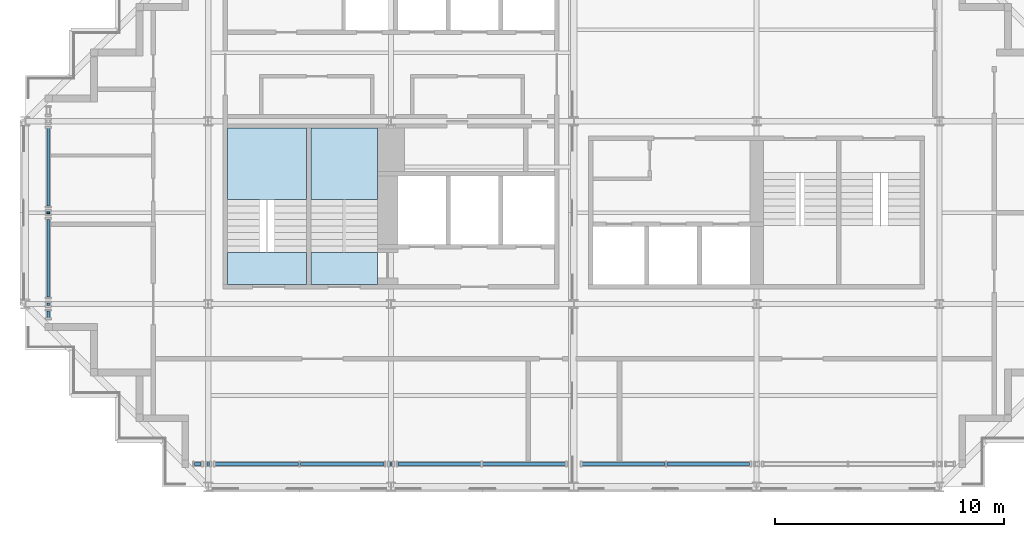
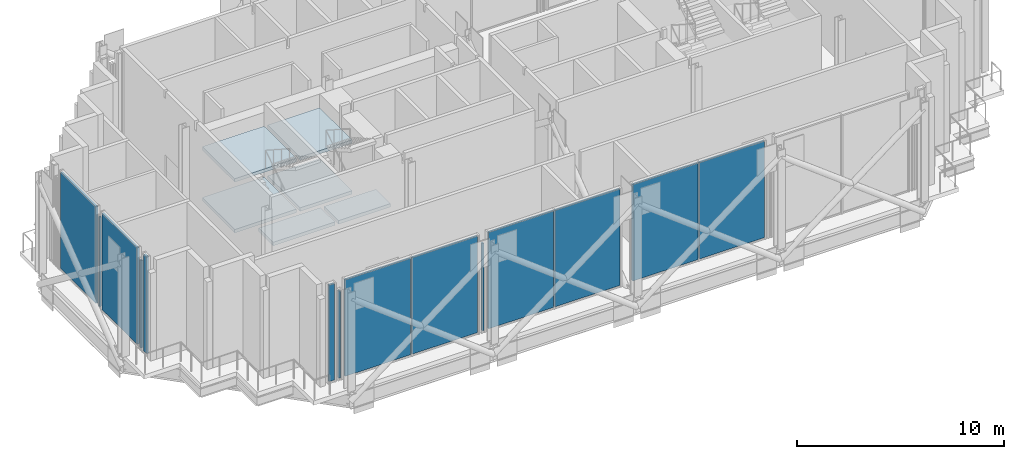
# One storey, part 7 of 16: 14 plates, 6 slabs, 13 elements without a shape of their own.
"""IFC4 building model written with IfcOpenShell, lengths in metres."""

from ifc_helpers import new_model, si_unit, direction, frame, origin, origin_2d, place, context, subcontext, project, spatial, polyline, rectangle, outline, extrude, material, layer, layer_set, type_object, element, aggregate, save


model = new_model("IFC4")

# Units and contexts
model_context = context("Model", 3, precision=1e-05, world=origin(), true_north=direction((0.0, 1.0)))
body_context = subcontext(model_context, "Body", "Model", "MODEL_VIEW")
ifc_project = project(units=[si_unit("LENGTHUNIT", "METRE"), si_unit("AREAUNIT", "SQUARE_METRE"), si_unit("VOLUMEUNIT", "CUBIC_METRE"), si_unit("PLANEANGLEUNIT", "RADIAN"), si_unit("MASSUNIT", "GRAM", prefix="KILO")], contexts=[model_context])

# Site, building, storey
site_placement = place(None, origin())
site = spatial("IfcSite", under=ifc_project, at=site_placement, CompositionType="ELEMENT")
building_placement = place(site_placement, origin())
building = spatial("IfcBuilding", under=site, at=building_placement, Name="Immortelle Media Tower", CompositionType="ELEMENT")
storey_placement = place(building_placement, frame((0.0, 0.0, 241.0)))
storey = spatial("IfcBuildingStorey", under=building, at=storey_placement, Name="L52", CompositionType="ELEMENT", Elevation=241.0)

# Curtain wall, plate
ifc_material_1 = material(Name="Aluminium curtain wall system", Category="aluminium")
curtain_wall_type = type_object("IfcCurtainWallType", Name="Plant louvre wall curtain wall", PredefinedType="NOTDEFINED", material=ifc_material_1)
curtain_wall_1_placement = place(storey_placement, origin())
curtain_wall_1 = element("IfcCurtainWall", 1, at=curtain_wall_1_placement, inside=storey, type_object=curtain_wall_type, Name="Plant louvre wall L52 S 7-2", PredefinedType="NOTDEFINED")
ifc_material_2 = material(Name="Pale aluminium louvre panel", Category="aluminium")
ifc_layer_1 = layer(ifc_material_2, 0.1201171875)
ifc_layer_set_1 = layer_set([ifc_layer_1], Name="Pale aluminium louvre panel")
plate_type = type_object("IfcPlateType", Name="Dust and storm rated louvre panel 120 mm", PredefinedType="CURTAIN_PANEL", material=ifc_layer_set_1)
plate_1_placement = place(storey_placement, frame((7.547607421875, 1.0, 0.080078125), z_axis=(0.0, 0.0, 1.0), x_axis=(1.0, 0.0, 0.0)))
plate_1 = element("IfcPlate", 2, at=plate_1_placement, type_object=plate_type, Name="CW6 panel 1.1", PredefinedType="CURTAIN_PANEL", context=body_context, shape_type="SweptSolid", body=[
    extrude(rectangle(XDim=0.297607421875, YDim=0.1201171875, at=origin_2d()), origin(), (0.0, 0.0, 1.0), 5.689453125),
])
aggregate(curtain_wall_1, [plate_1])

curtain_wall_2_placement = place(storey_placement, origin())
curtain_wall_2 = element("IfcCurtainWall", 3, at=curtain_wall_2_placement, inside=storey, type_object=curtain_wall_type, Name="Plant louvre wall L52 S 7-3", PredefinedType="NOTDEFINED")
plate_2_placement = place(storey_placement, frame((8.0, 1.0, 0.080078125), z_axis=(0.0, 0.0, 1.0), x_axis=(1.0, 0.0, 0.0)))
plate_2 = element("IfcPlate", 4, at=plate_2_placement, type_object=plate_type, Name="CW6 panel 1.1", PredefinedType="CURTAIN_PANEL", context=body_context, shape_type="SweptSolid", body=[
    extrude(rectangle(XDim=0.10693359375, YDim=0.1201171875, at=origin_2d()), origin(), (0.0, 0.0, 1.0), 5.153564453125),
])
aggregate(curtain_wall_2, [plate_2])

# Curtain wall, plates
curtain_wall_3_placement = place(storey_placement, origin())
curtain_wall_3 = element("IfcCurtainWall", 5, at=curtain_wall_3_placement, inside=storey, type_object=curtain_wall_type, Name="Plant louvre wall L52 S 7-4", PredefinedType="NOTDEFINED")
plate_3_placement = place(storey_placement, frame((10.1318359375, 1.0, 0.080078125), z_axis=(0.0, 0.0, 1.0), x_axis=(1.0, 0.0, 0.0)))
plate_3 = element("IfcPlate", 6, at=plate_3_placement, type_object=plate_type, Name="CW6 panel 1.1", PredefinedType="CURTAIN_PANEL", context=body_context, shape_type="SweptSolid", body=[
    extrude(rectangle(XDim=3.656494140625, YDim=0.1201171875, at=origin_2d()), origin(), (0.0, 0.0, 1.0), 5.689453125),
])
plate_4_placement = place(storey_placement, frame((13.8681640625, 1.0, 0.080078125), z_axis=(0.0, 0.0, 1.0), x_axis=(1.0, 0.0, 0.0)))
plate_4 = element("IfcPlate", 7, at=plate_4_placement, type_object=plate_type, Name="CW6 panel 2.1", PredefinedType="CURTAIN_PANEL", context=body_context, shape_type="SweptSolid", body=[
    extrude(rectangle(XDim=3.656494140625, YDim=0.1201171875, at=origin_2d()), origin(), (0.0, 0.0, 1.0), 5.689453125),
])
aggregate(curtain_wall_3, [plate_3, plate_4])

# Curtain wall, plate
curtain_wall_4_placement = place(storey_placement, origin())
curtain_wall_4 = element("IfcCurtainWall", 8, at=curtain_wall_4_placement, inside=storey, type_object=curtain_wall_type, Name="Plant louvre wall L52 S 7-5", PredefinedType="NOTDEFINED")
plate_5_placement = place(storey_placement, frame((16.0, 1.0, 0.080078125), z_axis=(0.0, 0.0, 1.0), x_axis=(1.0, 0.0, 0.0)))
plate_5 = element("IfcPlate", 9, at=plate_5_placement, type_object=plate_type, Name="CW6 panel 1.1", PredefinedType="CURTAIN_PANEL", context=body_context, shape_type="SweptSolid", body=[
    extrude(rectangle(XDim=0.10693359375, YDim=0.1201171875, at=origin_2d()), origin(), (0.0, 0.0, 1.0), 5.153564453125),
])
aggregate(curtain_wall_4, [plate_5])

# Curtain wall, plates
curtain_wall_5_placement = place(storey_placement, origin())
curtain_wall_5 = element("IfcCurtainWall", 10, at=curtain_wall_5_placement, inside=storey, type_object=curtain_wall_type, Name="Plant louvre wall L52 S 7-6", PredefinedType="NOTDEFINED")
plate_6_placement = place(storey_placement, frame((18.1162109375, 1.0, 0.080078125), z_axis=(0.0, 0.0, 1.0), x_axis=(1.0, 0.0, 0.0)))
plate_6 = element("IfcPlate", 11, at=plate_6_placement, type_object=plate_type, Name="CW6 panel 1.1", PredefinedType="CURTAIN_PANEL", context=body_context, shape_type="SweptSolid", body=[
    extrude(rectangle(XDim=3.625244140625, YDim=0.1201171875, at=origin_2d()), origin(), (0.0, 0.0, 1.0), 5.689453125),
])
plate_7_placement = place(storey_placement, frame((21.8212890625, 1.0, 0.080078125), z_axis=(0.0, 0.0, 1.0), x_axis=(1.0, 0.0, 0.0)))
plate_7 = element("IfcPlate", 12, at=plate_7_placement, type_object=plate_type, Name="CW6 panel 2.1", PredefinedType="CURTAIN_PANEL", context=body_context, shape_type="SweptSolid", body=[
    extrude(rectangle(XDim=3.625244140625, YDim=0.1201171875, at=origin_2d()), origin(), (0.0, 0.0, 1.0), 5.689453125),
])
aggregate(curtain_wall_5, [plate_6, plate_7])

curtain_wall_6_placement = place(storey_placement, origin())
curtain_wall_6 = element("IfcCurtainWall", 13, at=curtain_wall_6_placement, inside=storey, type_object=curtain_wall_type, Name="Plant louvre wall L52 S 7-7", PredefinedType="NOTDEFINED")
plate_8_placement = place(storey_placement, frame((26.1787109375, 1.0, 0.080078125), z_axis=(0.0, 0.0, 1.0), x_axis=(1.0, 0.0, 0.0)))
plate_8 = element("IfcPlate", 14, at=plate_8_placement, type_object=plate_type, Name="CW6 panel 1.1", PredefinedType="CURTAIN_PANEL", context=body_context, shape_type="SweptSolid", body=[
    extrude(rectangle(XDim=3.625244140625, YDim=0.1201171875, at=origin_2d()), origin(), (0.0, 0.0, 1.0), 5.689453125),
])
plate_9_placement = place(storey_placement, frame((29.8837890625, 1.0, 0.080078125), z_axis=(0.0, 0.0, 1.0), x_axis=(1.0, 0.0, 0.0)))
plate_9 = element("IfcPlate", 15, at=plate_9_placement, type_object=plate_type, Name="CW6 panel 2.1", PredefinedType="CURTAIN_PANEL", context=body_context, shape_type="SweptSolid", body=[
    extrude(rectangle(XDim=3.625244140625, YDim=0.1201171875, at=origin_2d()), origin(), (0.0, 0.0, 1.0), 5.689453125),
])
aggregate(curtain_wall_6, [plate_8, plate_9])

# Curtain wall, plate
curtain_wall_7_placement = place(storey_placement, origin())
curtain_wall_7 = element("IfcCurtainWall", 16, at=curtain_wall_7_placement, inside=storey, type_object=curtain_wall_type, Name="Plant louvre wall L52 W 28-4", PredefinedType="NOTDEFINED")
plate_10_placement = place(storey_placement, frame((1.0, 13.9931640625, 0.080078125), z_axis=(0.0, 0.0, 1.0), x_axis=(0.0, -1.0, 0.0)))
plate_10 = element("IfcPlate", 17, at=plate_10_placement, type_object=plate_type, Name="CW6 panel 1.1", PredefinedType="CURTAIN_PANEL", context=body_context, shape_type="SweptSolid", body=[
    extrude(rectangle(XDim=3.406494140625, YDim=0.1201171875, at=origin_2d()), origin(), (0.0, 0.0, 1.0), 5.689453125),
])
aggregate(curtain_wall_7, [plate_10])

curtain_wall_8_placement = place(storey_placement, origin())
curtain_wall_8 = element("IfcCurtainWall", 18, at=curtain_wall_8_placement, inside=storey, type_object=curtain_wall_type, Name="Plant louvre wall L52 W 28-5", PredefinedType="NOTDEFINED")
plate_11_placement = place(storey_placement, frame((1.0, 12.0, 0.080078125), z_axis=(0.0, 0.0, 1.0), x_axis=(0.0, -1.0, 0.0)))
plate_11 = element("IfcPlate", 19, at=plate_11_placement, type_object=plate_type, Name="CW6 panel 1.1", PredefinedType="CURTAIN_PANEL", context=body_context, shape_type="SweptSolid", body=[
    extrude(rectangle(XDim=0.080078125, YDim=0.1201171875, at=origin_2d()), origin(), (0.0, 0.0, 1.0), 5.285400390625),
])
aggregate(curtain_wall_8, [plate_11])

curtain_wall_9_placement = place(storey_placement, origin())
curtain_wall_9 = element("IfcCurtainWall", 20, at=curtain_wall_9_placement, inside=storey, type_object=curtain_wall_type, Name="Plant louvre wall L52 W 28-6", PredefinedType="NOTDEFINED")
plate_12_placement = place(storey_placement, frame((1.0, 10.0068359375, 0.080078125), z_axis=(0.0, 0.0, 1.0), x_axis=(0.0, -1.0, 0.0)))
plate_12 = element("IfcPlate", 21, at=plate_12_placement, type_object=plate_type, Name="CW6 panel 1.1", PredefinedType="CURTAIN_PANEL", context=body_context, shape_type="SweptSolid", body=[
    extrude(rectangle(XDim=3.406494140625, YDim=0.1201171875, at=origin_2d()), origin(), (0.0, 0.0, 1.0), 5.689453125),
])
aggregate(curtain_wall_9, [plate_12])

curtain_wall_10_placement = place(storey_placement, origin())
curtain_wall_10 = element("IfcCurtainWall", 22, at=curtain_wall_10_placement, inside=storey, type_object=curtain_wall_type, Name="Plant louvre wall L52 W 28-7", PredefinedType="NOTDEFINED")
plate_13_placement = place(storey_placement, frame((1.0, 8.0, 0.080078125), z_axis=(0.0, 0.0, 1.0), x_axis=(0.0, -1.0, 0.0)))
plate_13 = element("IfcPlate", 23, at=plate_13_placement, type_object=plate_type, Name="CW6 panel 1.1", PredefinedType="CURTAIN_PANEL", context=body_context, shape_type="SweptSolid", body=[
    extrude(rectangle(XDim=0.10693359375, YDim=0.1201171875, at=origin_2d()), origin(), (0.0, 0.0, 1.0), 5.153564453125),
])
aggregate(curtain_wall_10, [plate_13])

curtain_wall_11_placement = place(storey_placement, origin())
curtain_wall_11 = element("IfcCurtainWall", 24, at=curtain_wall_11_placement, inside=storey, type_object=curtain_wall_type, Name="Plant louvre wall L52 W 28-8", PredefinedType="NOTDEFINED")
plate_14_placement = place(storey_placement, frame((1.0, 7.547607421875, 0.080078125), z_axis=(0.0, 0.0, 1.0), x_axis=(0.0, -1.0, 0.0)))
plate_14 = element("IfcPlate", 25, at=plate_14_placement, type_object=plate_type, Name="CW6 panel 1.1", PredefinedType="CURTAIN_PANEL", context=body_context, shape_type="SweptSolid", body=[
    extrude(rectangle(XDim=0.297607421875, YDim=0.1201171875, at=origin_2d()), origin(), (0.0, 0.0, 1.0), 5.689453125),
])
aggregate(curtain_wall_11, [plate_14])

# Stair, slabs
ifc_material_3 = material(Name="Steel ASTM A992 Gr 50", Category="steel")
stair_type = type_object("IfcStairType", Name="Stair with flights", PredefinedType="DOUBLE_RETURN_STAIR", material=ifc_material_3)
stair_1_placement = place(storey_placement, origin())
stair_1 = element("IfcStair", 26, at=stair_1_placement, inside=storey, type_object=stair_type, Name="Exit stair SW1", PredefinedType="DOUBLE_RETURN_STAIR")
ifc_material_4 = material(Name="Steel ASTM A572 Gr 50", Category="steel")
ifc_layer_2 = layer(ifc_material_4, 0.199951171875)
ifc_layer_set_2 = layer_set([ifc_layer_2], Name="Steel ASTM A572 Gr 50")
slab_type = type_object("IfcSlabType", Name="Stair landing 200", PredefinedType="LANDING", material=ifc_layer_set_2)
slab_1_placement = place(storey_placement, frame((0.0, 0.0, 1.300048828125)))
slab_1 = element("IfcSlab", 27, at=slab_1_placement, type_object=slab_type, Name="ST SW1 landing 1", PredefinedType="LANDING", context=body_context, shape_type="SweptSolid", body=[
    extrude(outline(polyline([(8.85009765625, 12.570068359375), (12.300048828125, 12.570068359375), (12.300048828125, 15.699951171875), (8.85009765625, 15.699951171875), (8.85009765625, 12.570068359375)])), origin(), (0.0, 0.0, 1.0), 0.199951171875),
])
slab_2_placement = place(storey_placement, frame((0.0, 0.0, 2.800048828125)))
slab_2 = element("IfcSlab", 28, at=slab_2_placement, type_object=slab_type, Name="ST SW1 landing 2", PredefinedType="LANDING", context=body_context, shape_type="SweptSolid", body=[
    extrude(outline(polyline([(8.85009765625, 8.85009765625), (12.300048828125, 8.85009765625), (12.300048828125, 10.25), (8.85009765625, 10.25), (8.85009765625, 8.85009765625)])), origin(), (0.0, 0.0, 1.0), 0.199951171875),
])
slab_3_placement = place(storey_placement, frame((0.0, 0.0, 4.300048828125)))
slab_3 = element("IfcSlab", 29, at=slab_3_placement, type_object=slab_type, Name="ST SW1 landing 3", PredefinedType="LANDING", context=body_context, shape_type="SweptSolid", body=[
    extrude(outline(polyline([(8.85009765625, 12.570068359375), (12.300048828125, 12.570068359375), (12.300048828125, 15.699951171875), (8.85009765625, 15.699951171875), (8.85009765625, 12.570068359375)])), origin(), (0.0, 0.0, 1.0), 0.199951171875),
])
aggregate(stair_1, [slab_1, slab_2, slab_3])

stair_2_placement = place(storey_placement, origin())
stair_2 = element("IfcStair", 30, at=stair_2_placement, inside=storey, type_object=stair_type, Name="Exit stair SW2", PredefinedType="DOUBLE_RETURN_STAIR")
slab_4_placement = place(storey_placement, frame((0.0, 0.0, 1.300048828125)))
slab_4 = element("IfcSlab", 31, at=slab_4_placement, type_object=slab_type, Name="ST SW2 landing 1", PredefinedType="LANDING", context=body_context, shape_type="SweptSolid", body=[
    extrude(outline(polyline([(12.5, 12.570068359375), (15.39990234375, 12.570068359375), (15.39990234375, 15.699951171875), (12.5, 15.699951171875), (12.5, 12.570068359375)])), origin(), (0.0, 0.0, 1.0), 0.199951171875),
])
slab_5_placement = place(storey_placement, frame((0.0, 0.0, 2.800048828125)))
slab_5 = element("IfcSlab", 32, at=slab_5_placement, type_object=slab_type, Name="ST SW2 landing 2", PredefinedType="LANDING", context=body_context, shape_type="SweptSolid", body=[
    extrude(outline(polyline([(12.5, 8.85009765625), (15.39990234375, 8.85009765625), (15.39990234375, 10.25), (12.5, 10.25), (12.5, 8.85009765625)])), origin(), (0.0, 0.0, 1.0), 0.199951171875),
])
slab_6_placement = place(storey_placement, frame((0.0, 0.0, 4.300048828125)))
slab_6 = element("IfcSlab", 33, at=slab_6_placement, type_object=slab_type, Name="ST SW2 landing 3", PredefinedType="LANDING", context=body_context, shape_type="SweptSolid", body=[
    extrude(outline(polyline([(12.5, 12.570068359375), (15.39990234375, 12.570068359375), (15.39990234375, 15.699951171875), (12.5, 15.699951171875), (12.5, 12.570068359375)])), origin(), (0.0, 0.0, 1.0), 0.199951171875),
])
aggregate(stair_2, [slab_4, slab_5, slab_6])

save(model, "model.ifc")
